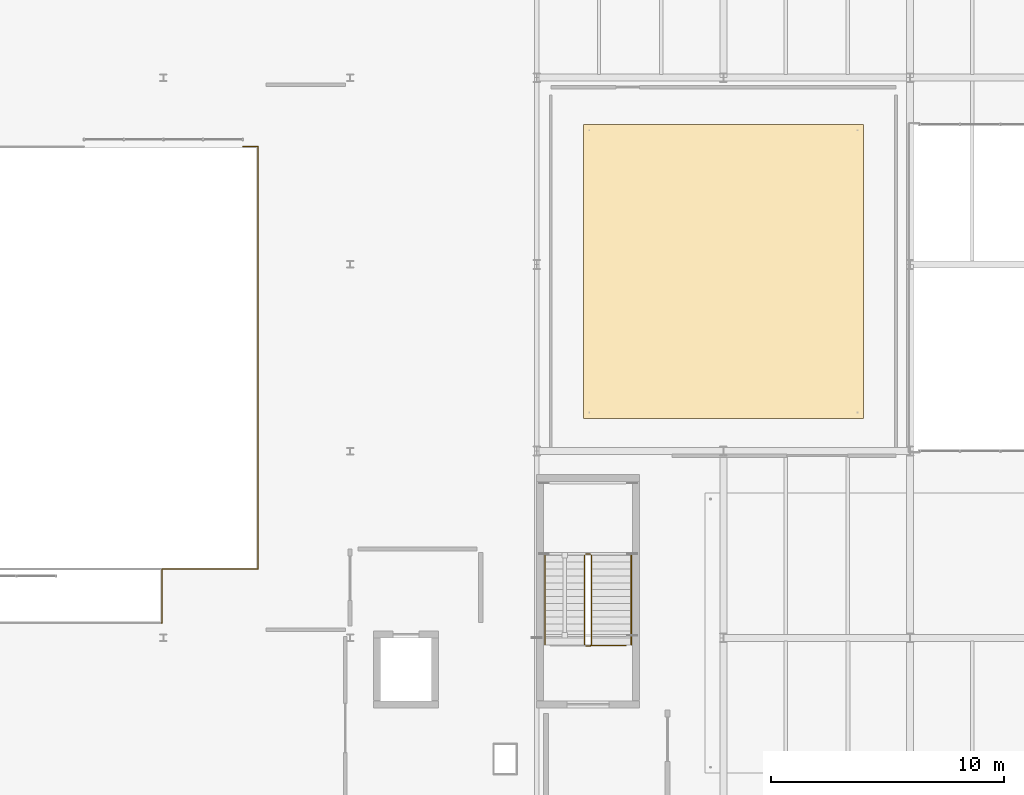
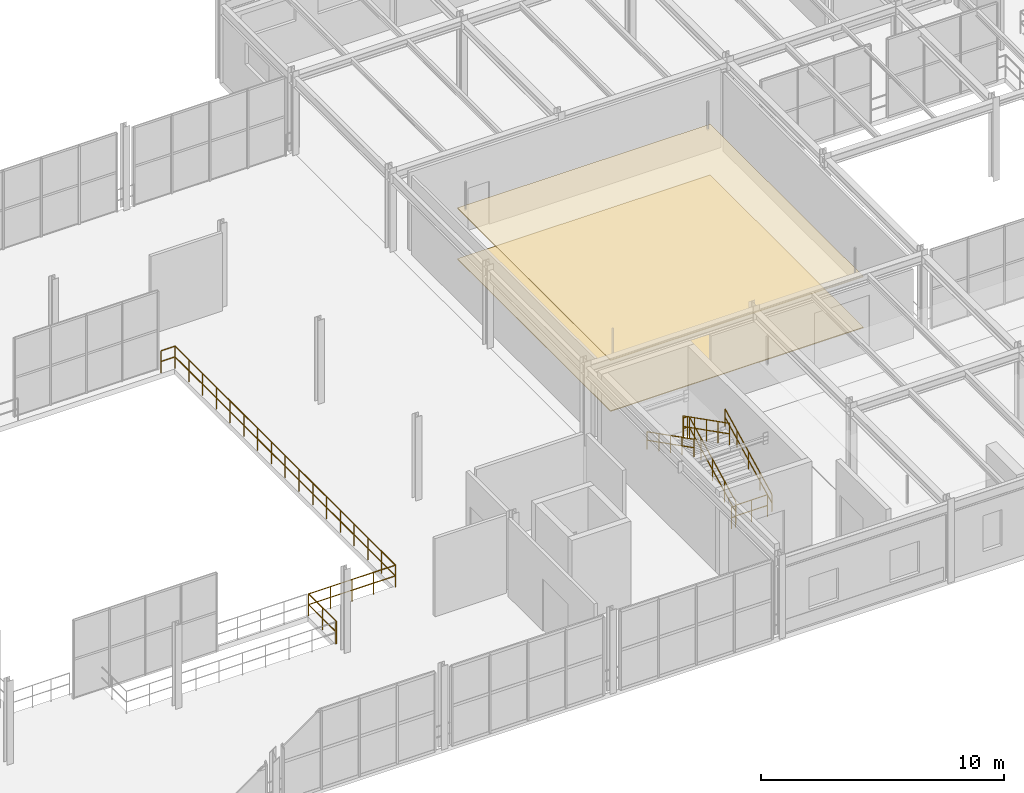
# One storey, part 60 of 67: 8 railings, 2 coverings.
"""IFC4 building model written with IfcOpenShell, lengths in metres."""

from ifc_helpers import new_model, si_unit, direction, frame, origin, origin_2d, place, context, subcontext, project, spatial, polyline, circle, outline, extrude, material, layer, layer_set, type_object, element, save


model = new_model("IFC4")

# Units and contexts
model_context = context("Model", 3, precision=1e-05, world=origin(), true_north=direction((0.0, 1.0)))
body_context = subcontext(model_context, "Body", "Model", "MODEL_VIEW")
ifc_project = project(units=[si_unit("LENGTHUNIT", "METRE"), si_unit("AREAUNIT", "SQUARE_METRE"), si_unit("VOLUMEUNIT", "CUBIC_METRE"), si_unit("PLANEANGLEUNIT", "RADIAN"), si_unit("MASSUNIT", "GRAM", prefix="KILO")], contexts=[model_context])

# Site, building, storey
site_placement = place(None, origin())
site = spatial("IfcSite", under=ifc_project, at=site_placement, CompositionType="ELEMENT")
building_placement = place(site_placement, origin())
building = spatial("IfcBuilding", under=site, at=building_placement, Name="Sundkrona Museum", CompositionType="ELEMENT")
storey_placement = place(building_placement, frame((0.0, 0.0, 21.800048828125)))
storey = spatial("IfcBuildingStorey", under=building, at=storey_placement, Name="L04", CompositionType="ELEMENT", Elevation=21.800048828125)

# Coverings
ifc_material_1 = material(Name="Perforated Acoustic Gypsum and Mineral Wool Ceiling", Category="other")
ifc_layer_1 = layer(ifc_material_1, 0.0400390625)
ifc_layer_set_1 = layer_set([ifc_layer_1], Name="Perforated Acoustic Gypsum and Mineral Wool Ceiling")
covering_type_1 = type_object("IfcCoveringType", Name="COV-CEIL-AC", PredefinedType="CEILING", material=ifc_layer_set_1)
covering_1_placement = place(storey_placement, frame((0.0, 0.0, 2.550048828125)))
element("IfcCovering", 1, at=covering_1_placement, inside=storey, type_object=covering_type_1, Name="L04 Baltic Modernism Cabinet Acoustic Ceiling", PredefinedType="CEILING", context=body_context, shape_type="SweptSolid", body=[
    extrude(outline(polyline([(122.0, 17.39990234375), (134.0, 17.39990234375), (134.0, 30.0), (122.0, 30.0), (122.0, 17.39990234375)])), origin(), (0.0, 0.0, 1.0), 0.039794921875),
])
ifc_material_2 = material(Name="Polished Scanian Limestone Terrazzo Flooring", Category="masonry")
ifc_layer_2 = layer(ifc_material_2, 0.034912109375)
ifc_layer_set_2 = layer_set([ifc_layer_2], Name="Polished Scanian Limestone Terrazzo Flooring")
covering_type_2 = type_object("IfcCoveringType", Name="COV-FLR-TZ", PredefinedType="FLOORING", material=ifc_layer_set_2)
covering_2_placement = place(storey_placement, origin())
element("IfcCovering", 2, at=covering_2_placement, inside=storey, type_object=covering_type_2, Name="L04 Baltic Modernism Cabinet Terrazzo Flooring", PredefinedType="FLOORING", context=body_context, shape_type="SweptSolid", body=[
    extrude(outline(polyline([(122.0, 17.39990234375), (134.0, 17.39990234375), (134.0, 30.0), (122.0, 30.0), (122.0, 17.39990234375)])), origin(), (0.0, 0.0, 1.0), 0.034912109375),
])

# Railings
ifc_material_3 = material(Name="Painted Steel S355J2 and Laminated Glass Balustrade", Category="steel")
railing_type_1 = type_object("IfcRailingType", Name="RL-GUARD-1100", PredefinedType="BALUSTRADE", material=ifc_material_3)
railing_1_placement = place(storey_placement, frame((122.35009765625, 7.699951171875, 0.14990234375)))
element("IfcRailing", 3, at=railing_1_placement, inside=storey, type_object=railing_type_1, Name="L04 ST-2 stair guard 1", PredefinedType="BALUSTRADE", context=body_context, shape_type="SweptSolid", body=[
    extrude(circle(Radius=0.02392578125, at=origin_2d()), frame((0.0, 0.0, 1.076171875), z_axis=(0.0, 0.891387850335, 0.453241326752), x_axis=(-1.0, 0.0, 0.0)), (0.0, 0.0, 1.0), 4.30224609375),
    extrude(circle(Radius=0.02392578125, at=origin_2d()), frame((0.0, 0.0, 0.550048828125), z_axis=(0.0, 0.891387850335, 0.453241326752), x_axis=(-1.0, 0.0, 0.0)), (0.0, 0.0, 1.0), 4.30224609375),
    extrude(circle(Radius=0.02099609375, at=origin_2d()), origin(), (0.0, 0.0, 1.0), 1.052001953125),
    extrude(circle(Radius=0.02099609375, at=origin_2d()), frame((0.0, 0.958740234375, 0.487548828125)), (0.0, 0.0, 1.0), 1.052001953125),
    extrude(circle(Radius=0.02099609375, at=origin_2d()), frame((0.0, 1.91748046875, 0.97509765625)), (0.0, 0.0, 1.0), 1.052001953125),
    extrude(circle(Radius=0.02099609375, at=origin_2d()), frame((0.0, 2.876220703125, 1.46240234375)), (0.0, 0.0, 1.0), 1.052001953125),
    extrude(circle(Radius=0.02099609375, at=origin_2d()), frame((0.0, 3.8349609375, 1.949951171875)), (0.0, 0.0, 1.0), 1.052001953125),
])
railing_2_placement = place(storey_placement, frame((122.300048828125, 11.5849609375, 2.099853515625)))
element("IfcRailing", 4, at=railing_2_placement, inside=storey, type_object=railing_type_1, Name="L04 ST-2 stair guard 2", PredefinedType="BALUSTRADE", context=body_context, shape_type="SweptSolid", body=[
    extrude(circle(Radius=0.02392578125, at=origin_2d()), frame((0.0, 0.0, 1.076171875), z_axis=(-1.0, 0.0, 0.0), x_axis=(0.0, -1.0, 0.0)), (0.0, 0.0, 1.0), 0.199951171875),
    extrude(circle(Radius=0.02392578125, at=origin_2d()), frame((0.0, 0.0, 0.550048828125), z_axis=(-1.0, 0.0, 0.0), x_axis=(0.0, -1.0, 0.0)), (0.0, 0.0, 1.0), 0.199951171875),
    extrude(circle(Radius=0.02099609375, at=origin_2d()), origin(), (0.0, 0.0, 1.0), 1.052001953125),
    extrude(circle(Radius=0.02099609375, at=origin_2d()), frame((-0.199951171875, 0.0, 0.0)), (0.0, 0.0, 1.0), 1.052001953125),
])
railing_3_placement = place(storey_placement, frame((122.050048828125, 11.534912109375, 2.25)))
element("IfcRailing", 5, at=railing_3_placement, inside=storey, type_object=railing_type_1, Name="L04 ST-2 stair guard 3", PredefinedType="BALUSTRADE", context=body_context, shape_type="SweptSolid", body=[
    extrude(circle(Radius=0.02392578125, at=origin_2d()), frame((0.0, 0.0, 1.076171875), z_axis=(0.0, -0.891387850335, 0.453241326752), x_axis=(1.0, 0.0, 0.0)), (0.0, 0.0, 1.0), 4.30224609375),
    extrude(circle(Radius=0.02392578125, at=origin_2d()), frame((0.0, 0.0, 0.550048828125), z_axis=(0.0, -0.891387850335, 0.453241326752), x_axis=(1.0, 0.0, 0.0)), (0.0, 0.0, 1.0), 4.30224609375),
    extrude(circle(Radius=0.02099609375, at=origin_2d()), origin(), (0.0, 0.0, 1.0), 1.052001953125),
    extrude(circle(Radius=0.02099609375, at=origin_2d()), frame((0.0, -0.958740234375, 0.487548828125)), (0.0, 0.0, 1.0), 1.052001953125),
    extrude(circle(Radius=0.02099609375, at=origin_2d()), frame((0.0, -1.91748046875, 0.97509765625)), (0.0, 0.0, 1.0), 1.052001953125),
    extrude(circle(Radius=0.02099609375, at=origin_2d()), frame((0.0, -2.876220703125, 1.46240234375)), (0.0, 0.0, 1.0), 1.052001953125),
    extrude(circle(Radius=0.02099609375, at=origin_2d()), frame((0.0, -3.8349609375, 1.949951171875)), (0.0, 0.0, 1.0), 1.052001953125),
])
railing_4_placement = place(storey_placement, frame((122.300048828125, 7.64990234375, 0.0)))
element("IfcRailing", 6, at=railing_4_placement, inside=storey, type_object=railing_type_1, Name="L04 ST-2 stair guard 4", PredefinedType="BALUSTRADE", context=body_context, shape_type="SweptSolid", body=[
    extrude(circle(Radius=0.02392578125, at=origin_2d()), frame((0.0, 0.0, 1.076171875), z_axis=(-1.0, 0.0, 0.0), x_axis=(0.0, -1.0, 0.0)), (0.0, 0.0, 1.0), 0.199951171875),
    extrude(circle(Radius=0.02392578125, at=origin_2d()), frame((0.0, 0.0, 0.550048828125), z_axis=(-1.0, 0.0, 0.0), x_axis=(0.0, -1.0, 0.0)), (0.0, 0.0, 1.0), 0.199951171875),
    extrude(circle(Radius=0.02099609375, at=origin_2d()), origin(), (0.0, 0.0, 1.0), 1.052001953125),
    extrude(circle(Radius=0.02099609375, at=origin_2d()), frame((-0.199951171875, 0.0, 0.0)), (0.0, 0.0, 1.0), 1.052001953125),
])
railing_5_placement = place(storey_placement, frame((103.89990234375, 8.639892578125, 0.0)))
element("IfcRailing", 7, at=railing_5_placement, inside=storey, type_object=railing_type_1, Name="L04 Edge Protection Balustrade 018", PredefinedType="BALUSTRADE", context=body_context, shape_type="SweptSolid", body=[
    extrude(circle(Radius=0.02392578125, at=origin_2d()), frame((0.0, 0.0, 1.09619140625), z_axis=(1.0, 0.0, 0.0), x_axis=(0.0, 1.0, 0.0)), (0.0, 0.0, 1.0), 0.0400390625),
    extrude(circle(Radius=0.02392578125, at=origin_2d()), frame((0.0, 0.0, 0.56005859375), z_axis=(1.0, 0.0, 0.0), x_axis=(0.0, 1.0, 0.0)), (0.0, 0.0, 1.0), 0.0400390625),
    extrude(circle(Radius=0.02392578125, at=origin_2d()), frame((0.0400390625, 0.0, 1.09619140625), z_axis=(0.0, 1.0, 0.0), x_axis=(-1.0, 0.0, 0.0)), (0.0, 0.0, 1.0), 2.300048828125),
    extrude(circle(Radius=0.02392578125, at=origin_2d()), frame((0.0400390625, 0.0, 0.56005859375), z_axis=(0.0, 1.0, 0.0), x_axis=(-1.0, 0.0, 0.0)), (0.0, 0.0, 1.0), 2.300048828125),
    extrude(circle(Radius=0.02392578125, at=origin_2d()), frame((0.0400390625, 2.300048828125, 1.09619140625), z_axis=(1.0, 0.0, 0.0), x_axis=(0.0, 1.0, 0.0)), (0.0, 0.0, 1.0), 4.1201171875),
    extrude(circle(Radius=0.02392578125, at=origin_2d()), frame((0.0400390625, 2.300048828125, 0.56005859375), z_axis=(1.0, 0.0, 0.0), x_axis=(0.0, 1.0, 0.0)), (0.0, 0.0, 1.0), 4.1201171875),
    extrude(circle(Radius=0.02392578125, at=origin_2d()), frame((4.16015625, 2.300048828125, 1.09619140625), z_axis=(0.0, 1.0, 0.0), x_axis=(-1.0, 0.0, 0.0)), (0.0, 0.0, 1.0), 18.1201171875),
    extrude(circle(Radius=0.02392578125, at=origin_2d()), frame((4.16015625, 2.300048828125, 0.56005859375), z_axis=(0.0, 1.0, 0.0), x_axis=(-1.0, 0.0, 0.0)), (0.0, 0.0, 1.0), 18.1201171875),
    extrude(circle(Radius=0.02392578125, at=origin_2d()), frame((4.16015625, 20.420166015625, 1.09619140625), z_axis=(-1.0, 0.0, 0.0), x_axis=(0.0, -1.0, 0.0)), (0.0, 0.0, 1.0), 0.66015625),
    extrude(circle(Radius=0.02392578125, at=origin_2d()), frame((4.16015625, 20.420166015625, 0.56005859375), z_axis=(-1.0, 0.0, 0.0), x_axis=(0.0, -1.0, 0.0)), (0.0, 0.0, 1.0), 0.66015625),
    extrude(circle(Radius=0.02099609375, at=origin_2d()), origin(), (0.0, 0.0, 1.0), 1.072021484375),
    extrude(circle(Radius=0.02099609375, at=origin_2d()), frame((0.0400390625, 0.0, 0.0)), (0.0, 0.0, 1.0), 1.072021484375),
    extrude(circle(Radius=0.02099609375, at=origin_2d()), frame((0.0400390625, 1.14990234375, 0.0)), (0.0, 0.0, 1.0), 1.072021484375),
    extrude(circle(Radius=0.02099609375, at=origin_2d()), frame((0.0400390625, 2.300048828125, 0.0)), (0.0, 0.0, 1.0), 1.072021484375),
    extrude(circle(Radius=0.02099609375, at=origin_2d()), frame((1.070068359375, 2.300048828125, 0.0)), (0.0, 0.0, 1.0), 1.072021484375),
    extrude(circle(Radius=0.02099609375, at=origin_2d()), frame((2.10009765625, 2.300048828125, 0.0)), (0.0, 0.0, 1.0), 1.072021484375),
    extrude(circle(Radius=0.02099609375, at=origin_2d()), frame((3.130126953125, 2.300048828125, 0.0)), (0.0, 0.0, 1.0), 1.072021484375),
    extrude(circle(Radius=0.02099609375, at=origin_2d()), frame((4.16015625, 2.300048828125, 0.0)), (0.0, 0.0, 1.0), 1.072021484375),
    extrude(circle(Radius=0.02099609375, at=origin_2d()), frame((4.16015625, 3.4326171875, 0.0)), (0.0, 0.0, 1.0), 1.072021484375),
    extrude(circle(Radius=0.02099609375, at=origin_2d()), frame((4.16015625, 4.56494140625, 0.0)), (0.0, 0.0, 1.0), 1.072021484375),
    extrude(circle(Radius=0.02099609375, at=origin_2d()), frame((4.16015625, 5.697509765625, 0.0)), (0.0, 0.0, 1.0), 1.072021484375),
    extrude(circle(Radius=0.02099609375, at=origin_2d()), frame((4.16015625, 6.830078125, 0.0)), (0.0, 0.0, 1.0), 1.072021484375),
    extrude(circle(Radius=0.02099609375, at=origin_2d()), frame((4.16015625, 7.962646484375, 0.0)), (0.0, 0.0, 1.0), 1.072021484375),
    extrude(circle(Radius=0.02099609375, at=origin_2d()), frame((4.16015625, 9.09521484375, 0.0)), (0.0, 0.0, 1.0), 1.072021484375),
    extrude(circle(Radius=0.02099609375, at=origin_2d()), frame((4.16015625, 10.2275390625, 0.0)), (0.0, 0.0, 1.0), 1.072021484375),
    extrude(circle(Radius=0.02099609375, at=origin_2d()), frame((4.16015625, 11.360107421875, 0.0)), (0.0, 0.0, 1.0), 1.072021484375),
    extrude(circle(Radius=0.02099609375, at=origin_2d()), frame((4.16015625, 12.49267578125, 0.0)), (0.0, 0.0, 1.0), 1.072021484375),
    extrude(circle(Radius=0.02099609375, at=origin_2d()), frame((4.16015625, 13.625, 0.0)), (0.0, 0.0, 1.0), 1.072021484375),
    extrude(circle(Radius=0.02099609375, at=origin_2d()), frame((4.16015625, 14.757568359375, 0.0)), (0.0, 0.0, 1.0), 1.072021484375),
    extrude(circle(Radius=0.02099609375, at=origin_2d()), frame((4.16015625, 15.89013671875, 0.0)), (0.0, 0.0, 1.0), 1.072021484375),
    extrude(circle(Radius=0.02099609375, at=origin_2d()), frame((4.16015625, 17.022705078125, 0.0)), (0.0, 0.0, 1.0), 1.072021484375),
    extrude(circle(Radius=0.02099609375, at=origin_2d()), frame((4.16015625, 18.1552734375, 0.0)), (0.0, 0.0, 1.0), 1.072021484375),
    extrude(circle(Radius=0.02099609375, at=origin_2d()), frame((4.16015625, 19.28759765625, 0.0)), (0.0, 0.0, 1.0), 1.072021484375),
    extrude(circle(Radius=0.02099609375, at=origin_2d()), frame((4.16015625, 20.420166015625, 0.0)), (0.0, 0.0, 1.0), 1.072021484375),
    extrude(circle(Radius=0.02099609375, at=origin_2d()), frame((3.5, 20.420166015625, 0.0)), (0.0, 0.0, 1.0), 1.072021484375),
])
railing_6_placement = place(storey_placement, frame((122.300048828125, 7.6650390625, 0.0)))
element("IfcRailing", 8, at=railing_6_placement, inside=storey, type_object=railing_type_1, Name="L04 Edge Protection Balustrade 025", PredefinedType="BALUSTRADE", context=body_context, shape_type="SweptSolid", body=[
    extrude(circle(Radius=0.02392578125, at=origin_2d()), frame((0.0, 0.0, 1.09619140625), z_axis=(1.0, 0.0, 0.0), x_axis=(0.0, 1.0, 0.0)), (0.0, 0.0, 1.0), 1.52001953125),
    extrude(circle(Radius=0.02392578125, at=origin_2d()), frame((0.0, 0.0, 0.56005859375), z_axis=(1.0, 0.0, 0.0), x_axis=(0.0, 1.0, 0.0)), (0.0, 0.0, 1.0), 1.52001953125),
    extrude(circle(Radius=0.02099609375, at=origin_2d()), origin(), (0.0, 0.0, 1.0), 1.072021484375),
    extrude(circle(Radius=0.02099609375, at=origin_2d()), frame((0.760009765625, 0.0, 0.0)), (0.0, 0.0, 1.0), 1.072021484375),
    extrude(circle(Radius=0.02099609375, at=origin_2d()), frame((1.52001953125, 0.0, 0.0)), (0.0, 0.0, 1.0), 1.072021484375),
])
ifc_material_4 = material(Name="Brushed Bronze-Clad Steel Handrail", Category="steel")
railing_type_2 = type_object("IfcRailingType", Name="RL-HAND-900", PredefinedType="HANDRAIL", material=ifc_material_4)
railing_7_placement = place(storey_placement, frame((124.050048828125, 7.699951171875, 0.14990234375)))
element("IfcRailing", 9, at=railing_7_placement, inside=storey, type_object=railing_type_2, Name="L04 ST-2 stair handrail 1", PredefinedType="HANDRAIL", context=body_context, shape_type="SweptSolid", body=[
    extrude(circle(Radius=0.02392578125, at=origin_2d()), frame((0.0, 0.0, 0.8759765625), z_axis=(0.0, 0.891387850335, 0.453241326752), x_axis=(-1.0, 0.0, 0.0)), (0.0, 0.0, 1.0), 4.30224609375),
    extrude(circle(Radius=0.02392578125, at=origin_2d()), frame((0.0, 0.0, 0.449951171875), z_axis=(0.0, 0.891387850335, 0.453241326752), x_axis=(-1.0, 0.0, 0.0)), (0.0, 0.0, 1.0), 4.30224609375),
    extrude(circle(Radius=0.02099609375, at=origin_2d()), origin(), (0.0, 0.0, 1.0), 0.851806640625),
    extrude(circle(Radius=0.02099609375, at=origin_2d()), frame((0.0, 0.958740234375, 0.487548828125)), (0.0, 0.0, 1.0), 0.851806640625),
    extrude(circle(Radius=0.02099609375, at=origin_2d()), frame((0.0, 1.91748046875, 0.97509765625)), (0.0, 0.0, 1.0), 0.851806640625),
    extrude(circle(Radius=0.02099609375, at=origin_2d()), frame((0.0, 2.876220703125, 1.46240234375)), (0.0, 0.0, 1.0), 0.851806640625),
    extrude(circle(Radius=0.02099609375, at=origin_2d()), frame((0.0, 3.8349609375, 1.949951171875)), (0.0, 0.0, 1.0), 0.851806640625),
])
railing_8_placement = place(storey_placement, frame((120.35009765625, 11.534912109375, 2.25)))
element("IfcRailing", 10, at=railing_8_placement, inside=storey, type_object=railing_type_2, Name="L04 ST-2 stair handrail 2", PredefinedType="HANDRAIL", context=body_context, shape_type="SweptSolid", body=[
    extrude(circle(Radius=0.02392578125, at=origin_2d()), frame((0.0, 0.0, 0.8759765625), z_axis=(0.0, -0.891387850335, 0.453241326752), x_axis=(1.0, 0.0, 0.0)), (0.0, 0.0, 1.0), 4.30224609375),
    extrude(circle(Radius=0.02392578125, at=origin_2d()), frame((0.0, 0.0, 0.449951171875), z_axis=(0.0, -0.891387850335, 0.453241326752), x_axis=(1.0, 0.0, 0.0)), (0.0, 0.0, 1.0), 4.30224609375),
    extrude(circle(Radius=0.02099609375, at=origin_2d()), origin(), (0.0, 0.0, 1.0), 0.851806640625),
    extrude(circle(Radius=0.02099609375, at=origin_2d()), frame((0.0, -0.958740234375, 0.487548828125)), (0.0, 0.0, 1.0), 0.851806640625),
    extrude(circle(Radius=0.02099609375, at=origin_2d()), frame((0.0, -1.91748046875, 0.97509765625)), (0.0, 0.0, 1.0), 0.851806640625),
    extrude(circle(Radius=0.02099609375, at=origin_2d()), frame((0.0, -2.876220703125, 1.46240234375)), (0.0, 0.0, 1.0), 0.851806640625),
    extrude(circle(Radius=0.02099609375, at=origin_2d()), frame((0.0, -3.8349609375, 1.949951171875)), (0.0, 0.0, 1.0), 0.851806640625),
])

save(model, "model.ifc")
